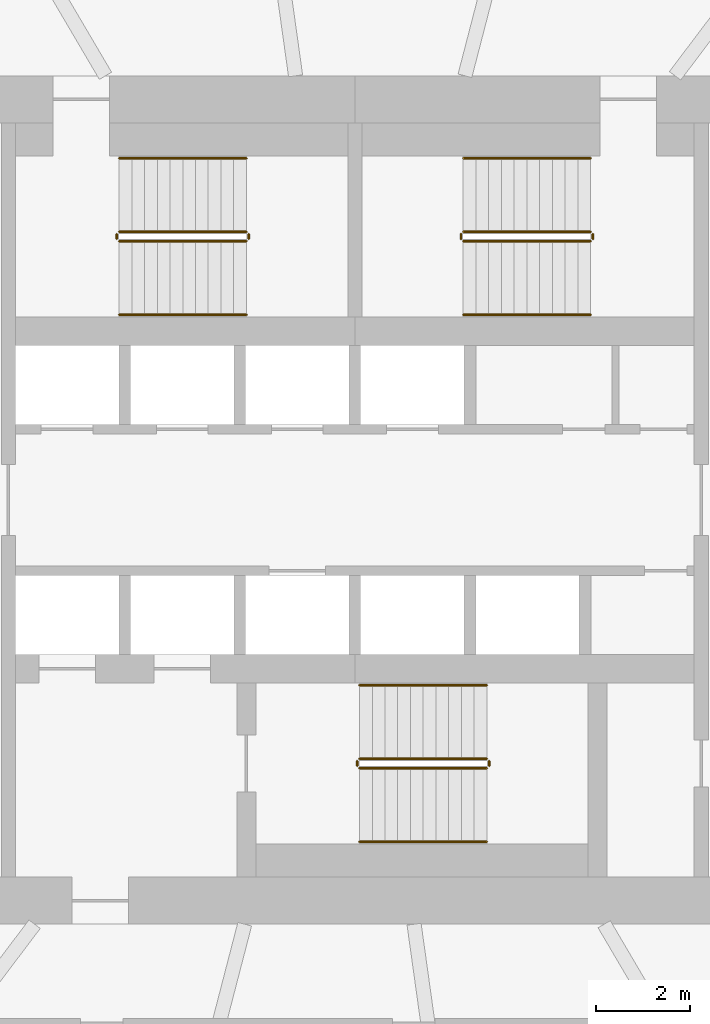
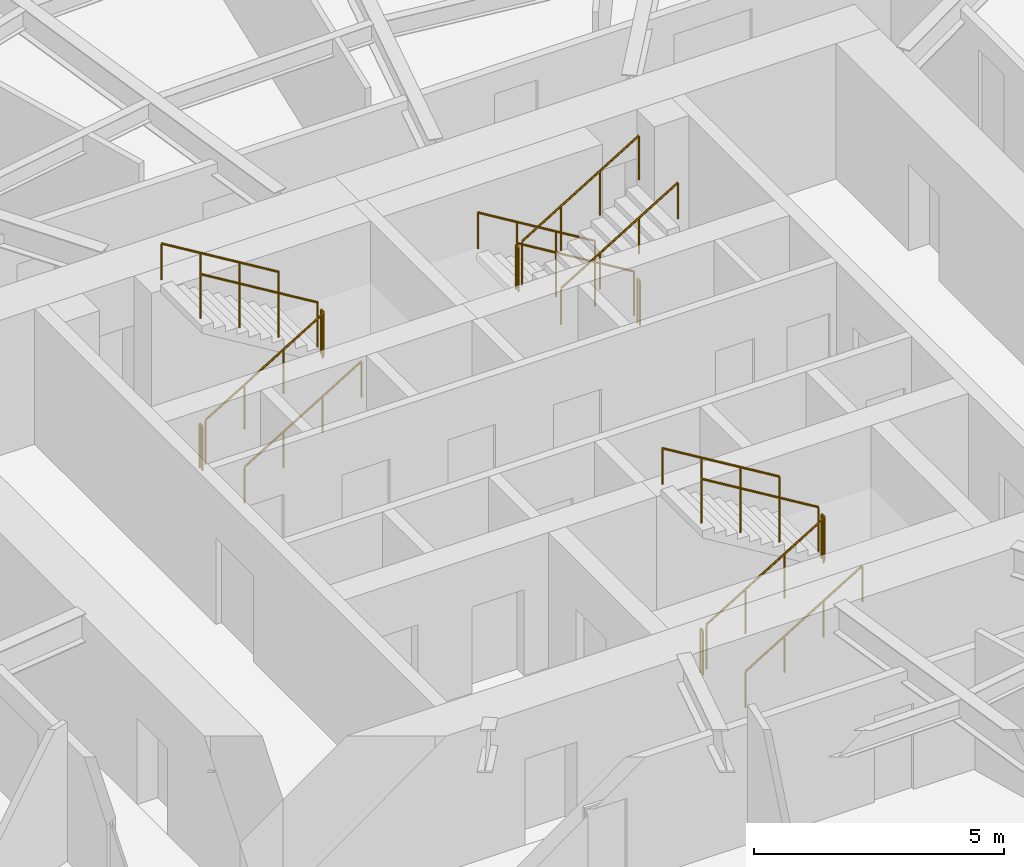
# One storey, part 13 of 14: 18 railings.
"""IFC4 building model written with IfcOpenShell, lengths in metres."""

from ifc_helpers import new_model, si_unit, direction, frame, origin, origin_2d, place, context, subcontext, project, spatial, circle, extrude, material, type_object, element, save


model = new_model("IFC4")

# Units and contexts
model_context = context("Model", 3, precision=1e-05, world=origin(), true_north=direction((0.0, 1.0)))
body_context = subcontext(model_context, "Body", "Model", "MODEL_VIEW")
ifc_project = project(units=[si_unit("LENGTHUNIT", "METRE"), si_unit("AREAUNIT", "SQUARE_METRE"), si_unit("VOLUMEUNIT", "CUBIC_METRE"), si_unit("PLANEANGLEUNIT", "RADIAN"), si_unit("MASSUNIT", "GRAM", prefix="KILO")], contexts=[model_context])

# Site, building, storey
site_placement = place(None, origin())
site = spatial("IfcSite", under=ifc_project, at=site_placement, CompositionType="ELEMENT")
building_placement = place(site_placement, origin())
building = spatial("IfcBuilding", under=site, at=building_placement, Name="Vermilion Reach Broadcast Tower", CompositionType="ELEMENT")
storey_placement = place(building_placement, frame((0.0, 0.0, 131.800048828125)))
storey = spatial("IfcBuildingStorey", under=building, at=storey_placement, Name="L31", CompositionType="ELEMENT", Elevation=131.800048828125)

# Railings
ifc_material_1 = material(Name="Stainless steel", Category="steel")
railing_type_1 = type_object("IfcRailingType", Name="Stair guard 1100", PredefinedType="GUARDRAIL", material=ifc_material_1)
railing_1_placement = place(storey_placement, frame((-11.0, 5.489990234375, 0.16357421875)))
element("IfcRailing", 1, at=railing_1_placement, inside=storey, type_object=railing_type_1, Name="L31 ST1 stair guard 1", PredefinedType="GUARDRAIL", context=body_context, shape_type="SweptSolid", body=[
    extrude(circle(Radius=0.02392578125, at=origin_2d()), frame((0.0, 0.0, 1.076171875), z_axis=(0.855178096276, 0.0, 0.518334277904), x_axis=(0.0, 1.0, 0.0)), (0.0, 0.0, 1.0), 3.1572265625),
    extrude(circle(Radius=0.02099609375, at=origin_2d()), origin(), (0.0, 0.0, 1.0), 1.052001953125),
    extrude(circle(Radius=0.02099609375, at=origin_2d()), frame((0.89990234375, 0.0, 0.54541015625)), (0.0, 0.0, 1.0), 1.052001953125),
    extrude(circle(Radius=0.02099609375, at=origin_2d()), frame((1.800048828125, 0.0, 1.091064453125)), (0.0, 0.0, 1.0), 1.052001953125),
    extrude(circle(Radius=0.02099609375, at=origin_2d()), frame((2.699951171875, 0.0, 1.636474609375)), (0.0, 0.0, 1.0), 1.052001953125),
])
railing_2_placement = place(storey_placement, frame((-8.25, 5.5400390625, 1.800048828125)))
element("IfcRailing", 2, at=railing_2_placement, inside=storey, type_object=railing_type_1, Name="L31 ST1 stair guard 2", PredefinedType="GUARDRAIL", context=body_context, shape_type="SweptSolid", body=[
    extrude(circle(Radius=0.02392578125, at=origin_2d()), frame((0.0, 0.0, 1.076171875), z_axis=(0.0, 1.0, 0.0), x_axis=(-1.0, 0.0, 0.0)), (0.0, 0.0, 1.0), 0.099853515625),
    extrude(circle(Radius=0.02099609375, at=origin_2d()), origin(), (0.0, 0.0, 1.0), 1.052001953125),
    extrude(circle(Radius=0.02099609375, at=origin_2d()), frame((0.0, 0.099853515625, 0.0)), (0.0, 0.0, 1.0), 1.052001953125),
])
railing_3_placement = place(storey_placement, frame((-8.300048828125, 5.68994140625, 1.963623046875)))
element("IfcRailing", 3, at=railing_3_placement, inside=storey, type_object=railing_type_1, Name="L31 ST1 stair guard 3", PredefinedType="GUARDRAIL", context=body_context, shape_type="SweptSolid", body=[
    extrude(circle(Radius=0.02392578125, at=origin_2d()), frame((0.0, 0.0, 1.076171875), z_axis=(-0.855212373127, 0.0, 0.518277721738), x_axis=(0.0, -1.0, 0.0)), (0.0, 0.0, 1.0), 3.156982421875),
    extrude(circle(Radius=0.02099609375, at=origin_2d()), origin(), (0.0, 0.0, 1.0), 1.052001953125),
    extrude(circle(Radius=0.02099609375, at=origin_2d()), frame((-0.89990234375, 0.0, 0.54541015625)), (0.0, 0.0, 1.0), 1.052001953125),
    extrude(circle(Radius=0.02099609375, at=origin_2d()), frame((-1.800048828125, 0.0, 1.0908203125)), (0.0, 0.0, 1.0), 1.052001953125),
    extrude(circle(Radius=0.02099609375, at=origin_2d()), frame((-2.699951171875, 0.0, 1.63623046875)), (0.0, 0.0, 1.0), 1.052001953125),
])
railing_4_placement = place(storey_placement, frame((-11.050048828125, 5.5400390625, 0.0)))
element("IfcRailing", 4, at=railing_4_placement, inside=storey, type_object=railing_type_1, Name="L31 ST1 stair guard 4", PredefinedType="GUARDRAIL", context=body_context, shape_type="SweptSolid", body=[
    extrude(circle(Radius=0.02392578125, at=origin_2d()), frame((0.0, 0.0, 1.076171875), z_axis=(0.0, 1.0, 0.0), x_axis=(-1.0, 0.0, 0.0)), (0.0, 0.0, 1.0), 0.099853515625),
    extrude(circle(Radius=0.02099609375, at=origin_2d()), origin(), (0.0, 0.0, 1.0), 1.052001953125),
    extrude(circle(Radius=0.02099609375, at=origin_2d()), frame((0.0, 0.099853515625, 0.0)), (0.0, 0.0, 1.0), 1.052001953125),
])
railing_5_placement = place(storey_placement, frame((-1.0, 5.68994140625, 0.16357421875)))
element("IfcRailing", 5, at=railing_5_placement, inside=storey, type_object=railing_type_1, Name="L31 ST2 stair guard 1", PredefinedType="GUARDRAIL", context=body_context, shape_type="SweptSolid", body=[
    extrude(circle(Radius=0.02392578125, at=origin_2d()), frame((0.0, 0.0, 1.076171875), z_axis=(-0.855178096276, 0.0, 0.518334277904), x_axis=(0.0, -1.0, 0.0)), (0.0, 0.0, 1.0), 3.1572265625),
    extrude(circle(Radius=0.02099609375, at=origin_2d()), origin(), (0.0, 0.0, 1.0), 1.052001953125),
    extrude(circle(Radius=0.02099609375, at=origin_2d()), frame((-0.89990234375, 0.0, 0.54541015625)), (0.0, 0.0, 1.0), 1.052001953125),
    extrude(circle(Radius=0.02099609375, at=origin_2d()), frame((-1.800048828125, 0.0, 1.091064453125)), (0.0, 0.0, 1.0), 1.052001953125),
    extrude(circle(Radius=0.02099609375, at=origin_2d()), frame((-2.699951171875, 0.0, 1.636474609375)), (0.0, 0.0, 1.0), 1.052001953125),
])
railing_6_placement = place(storey_placement, frame((-3.75, 5.639892578125, 1.800048828125)))
element("IfcRailing", 6, at=railing_6_placement, inside=storey, type_object=railing_type_1, Name="L31 ST2 stair guard 2", PredefinedType="GUARDRAIL", context=body_context, shape_type="SweptSolid", body=[
    extrude(circle(Radius=0.02392578125, at=origin_2d()), frame((0.0, 0.0, 1.076171875), z_axis=(0.0, -1.0, 0.0), x_axis=(1.0, 0.0, 0.0)), (0.0, 0.0, 1.0), 0.099853515625),
    extrude(circle(Radius=0.02099609375, at=origin_2d()), origin(), (0.0, 0.0, 1.0), 1.052001953125),
    extrude(circle(Radius=0.02099609375, at=origin_2d()), frame((0.0, -0.099853515625, 0.0)), (0.0, 0.0, 1.0), 1.052001953125),
])
railing_7_placement = place(storey_placement, frame((-3.699951171875, 5.489990234375, 1.963623046875)))
element("IfcRailing", 7, at=railing_7_placement, inside=storey, type_object=railing_type_1, Name="L31 ST2 stair guard 3", PredefinedType="GUARDRAIL", context=body_context, shape_type="SweptSolid", body=[
    extrude(circle(Radius=0.02392578125, at=origin_2d()), frame((0.0, 0.0, 1.076171875), z_axis=(0.855212373127, 0.0, 0.518277721738), x_axis=(0.0, 1.0, 0.0)), (0.0, 0.0, 1.0), 3.156982421875),
    extrude(circle(Radius=0.02099609375, at=origin_2d()), origin(), (0.0, 0.0, 1.0), 1.052001953125),
    extrude(circle(Radius=0.02099609375, at=origin_2d()), frame((0.89990234375, 0.0, 0.54541015625)), (0.0, 0.0, 1.0), 1.052001953125),
    extrude(circle(Radius=0.02099609375, at=origin_2d()), frame((1.800048828125, 0.0, 1.0908203125)), (0.0, 0.0, 1.0), 1.052001953125),
    extrude(circle(Radius=0.02099609375, at=origin_2d()), frame((2.699951171875, 0.0, 1.63623046875)), (0.0, 0.0, 1.0), 1.052001953125),
])
railing_8_placement = place(storey_placement, frame((-0.949951171875, 5.639892578125, 0.0)))
element("IfcRailing", 8, at=railing_8_placement, inside=storey, type_object=railing_type_1, Name="L31 ST2 stair guard 4", PredefinedType="GUARDRAIL", context=body_context, shape_type="SweptSolid", body=[
    extrude(circle(Radius=0.02392578125, at=origin_2d()), frame((0.0, 0.0, 1.076171875), z_axis=(0.0, -1.0, 0.0), x_axis=(1.0, 0.0, 0.0)), (0.0, 0.0, 1.0), 0.099853515625),
    extrude(circle(Radius=0.02099609375, at=origin_2d()), origin(), (0.0, 0.0, 1.0), 1.052001953125),
    extrude(circle(Radius=0.02099609375, at=origin_2d()), frame((0.0, -0.099853515625, 0.0)), (0.0, 0.0, 1.0), 1.052001953125),
])
railing_9_placement = place(storey_placement, frame((-5.89990234375, -5.68994140625, 0.16357421875)))
element("IfcRailing", 9, at=railing_9_placement, inside=storey, type_object=railing_type_1, Name="L31 ST3 stair guard 1", PredefinedType="GUARDRAIL", context=body_context, shape_type="SweptSolid", body=[
    extrude(circle(Radius=0.02392578125, at=origin_2d()), frame((0.0, 0.0, 1.076171875), z_axis=(0.855178096276, 0.0, 0.518334277904), x_axis=(0.0, 1.0, 0.0)), (0.0, 0.0, 1.0), 3.1572265625),
    extrude(circle(Radius=0.02099609375, at=origin_2d()), origin(), (0.0, 0.0, 1.0), 1.052001953125),
    extrude(circle(Radius=0.02099609375, at=origin_2d()), frame((0.89990234375, 0.0, 0.54541015625)), (0.0, 0.0, 1.0), 1.052001953125),
    extrude(circle(Radius=0.02099609375, at=origin_2d()), frame((1.800048828125, 0.0, 1.091064453125)), (0.0, 0.0, 1.0), 1.052001953125),
    extrude(circle(Radius=0.02099609375, at=origin_2d()), frame((2.699951171875, 0.0, 1.636474609375)), (0.0, 0.0, 1.0), 1.052001953125),
])
railing_10_placement = place(storey_placement, frame((-3.14990234375, -5.639892578125, 1.800048828125)))
element("IfcRailing", 10, at=railing_10_placement, inside=storey, type_object=railing_type_1, Name="L31 ST3 stair guard 2", PredefinedType="GUARDRAIL", context=body_context, shape_type="SweptSolid", body=[
    extrude(circle(Radius=0.02392578125, at=origin_2d()), frame((0.0, 0.0, 1.076171875), z_axis=(0.0, 1.0, 0.0), x_axis=(-1.0, 0.0, 0.0)), (0.0, 0.0, 1.0), 0.099853515625),
    extrude(circle(Radius=0.02099609375, at=origin_2d()), origin(), (0.0, 0.0, 1.0), 1.052001953125),
    extrude(circle(Radius=0.02099609375, at=origin_2d()), frame((0.0, 0.099853515625, 0.0)), (0.0, 0.0, 1.0), 1.052001953125),
])
railing_11_placement = place(storey_placement, frame((-3.199951171875, -5.489990234375, 1.963623046875)))
element("IfcRailing", 11, at=railing_11_placement, inside=storey, type_object=railing_type_1, Name="L31 ST3 stair guard 3", PredefinedType="GUARDRAIL", context=body_context, shape_type="SweptSolid", body=[
    extrude(circle(Radius=0.02392578125, at=origin_2d()), frame((0.0, 0.0, 1.076171875), z_axis=(-0.855212373127, 0.0, 0.518277721738), x_axis=(0.0, -1.0, 0.0)), (0.0, 0.0, 1.0), 3.156982421875),
    extrude(circle(Radius=0.02099609375, at=origin_2d()), origin(), (0.0, 0.0, 1.0), 1.052001953125),
    extrude(circle(Radius=0.02099609375, at=origin_2d()), frame((-0.89990234375, 0.0, 0.54541015625)), (0.0, 0.0, 1.0), 1.052001953125),
    extrude(circle(Radius=0.02099609375, at=origin_2d()), frame((-1.800048828125, 0.0, 1.0908203125)), (0.0, 0.0, 1.0), 1.052001953125),
    extrude(circle(Radius=0.02099609375, at=origin_2d()), frame((-2.699951171875, 0.0, 1.63623046875)), (0.0, 0.0, 1.0), 1.052001953125),
])
railing_12_placement = place(storey_placement, frame((-5.949951171875, -5.639892578125, 0.0)))
element("IfcRailing", 12, at=railing_12_placement, inside=storey, type_object=railing_type_1, Name="L31 ST3 stair guard 4", PredefinedType="GUARDRAIL", context=body_context, shape_type="SweptSolid", body=[
    extrude(circle(Radius=0.02392578125, at=origin_2d()), frame((0.0, 0.0, 1.076171875), z_axis=(0.0, 1.0, 0.0), x_axis=(-1.0, 0.0, 0.0)), (0.0, 0.0, 1.0), 0.099853515625),
    extrude(circle(Radius=0.02099609375, at=origin_2d()), origin(), (0.0, 0.0, 1.0), 1.052001953125),
    extrude(circle(Radius=0.02099609375, at=origin_2d()), frame((0.0, 0.099853515625, 0.0)), (0.0, 0.0, 1.0), 1.052001953125),
])
ifc_material_2 = material(Name="Stainless steel", Category="steel")
railing_type_2 = type_object("IfcRailingType", Name="Stair handrail", PredefinedType="HANDRAIL", material=ifc_material_2)
railing_13_placement = place(storey_placement, frame((-11.0, 3.929931640625, 0.16357421875)))
element("IfcRailing", 13, at=railing_13_placement, inside=storey, type_object=railing_type_2, Name="L31 ST1 stair handrail 1", PredefinedType="HANDRAIL", context=body_context, shape_type="SweptSolid", body=[
    extrude(circle(Radius=0.02392578125, at=origin_2d()), frame((0.0, 0.0, 0.8759765625), z_axis=(0.855178096276, 0.0, 0.518334277904), x_axis=(0.0, 1.0, 0.0)), (0.0, 0.0, 1.0), 3.1572265625),
    extrude(circle(Radius=0.02099609375, at=origin_2d()), origin(), (0.0, 0.0, 1.0), 0.851806640625),
    extrude(circle(Radius=0.02099609375, at=origin_2d()), frame((0.89990234375, 0.0, 0.54541015625)), (0.0, 0.0, 1.0), 0.851806640625),
    extrude(circle(Radius=0.02099609375, at=origin_2d()), frame((1.800048828125, 0.0, 1.091064453125)), (0.0, 0.0, 1.0), 0.851806640625),
    extrude(circle(Radius=0.02099609375, at=origin_2d()), frame((2.699951171875, 0.0, 1.636474609375)), (0.0, 0.0, 1.0), 0.851806640625),
])
railing_14_placement = place(storey_placement, frame((-8.300048828125, 7.25, 1.963623046875)))
element("IfcRailing", 14, at=railing_14_placement, inside=storey, type_object=railing_type_2, Name="L31 ST1 stair handrail 2", PredefinedType="HANDRAIL", context=body_context, shape_type="SweptSolid", body=[
    extrude(circle(Radius=0.02392578125, at=origin_2d()), frame((0.0, 0.0, 0.8759765625), z_axis=(-0.855212373127, 0.0, 0.518277721738), x_axis=(0.0, -1.0, 0.0)), (0.0, 0.0, 1.0), 3.156982421875),
    extrude(circle(Radius=0.02099609375, at=origin_2d()), origin(), (0.0, 0.0, 1.0), 0.851806640625),
    extrude(circle(Radius=0.02099609375, at=origin_2d()), frame((-0.89990234375, 0.0, 0.54541015625)), (0.0, 0.0, 1.0), 0.851806640625),
    extrude(circle(Radius=0.02099609375, at=origin_2d()), frame((-1.800048828125, 0.0, 1.0908203125)), (0.0, 0.0, 1.0), 0.851806640625),
    extrude(circle(Radius=0.02099609375, at=origin_2d()), frame((-2.699951171875, 0.0, 1.63623046875)), (0.0, 0.0, 1.0), 0.851806640625),
])
railing_15_placement = place(storey_placement, frame((-1.0, 7.25, 0.16357421875)))
element("IfcRailing", 15, at=railing_15_placement, inside=storey, type_object=railing_type_2, Name="L31 ST2 stair handrail 1", PredefinedType="HANDRAIL", context=body_context, shape_type="SweptSolid", body=[
    extrude(circle(Radius=0.02392578125, at=origin_2d()), frame((0.0, 0.0, 0.8759765625), z_axis=(-0.855178096276, 0.0, 0.518334277904), x_axis=(0.0, -1.0, 0.0)), (0.0, 0.0, 1.0), 3.1572265625),
    extrude(circle(Radius=0.02099609375, at=origin_2d()), origin(), (0.0, 0.0, 1.0), 0.851806640625),
    extrude(circle(Radius=0.02099609375, at=origin_2d()), frame((-0.89990234375, 0.0, 0.54541015625)), (0.0, 0.0, 1.0), 0.851806640625),
    extrude(circle(Radius=0.02099609375, at=origin_2d()), frame((-1.800048828125, 0.0, 1.091064453125)), (0.0, 0.0, 1.0), 0.851806640625),
    extrude(circle(Radius=0.02099609375, at=origin_2d()), frame((-2.699951171875, 0.0, 1.636474609375)), (0.0, 0.0, 1.0), 0.851806640625),
])
railing_16_placement = place(storey_placement, frame((-3.699951171875, 3.929931640625, 1.963623046875)))
element("IfcRailing", 16, at=railing_16_placement, inside=storey, type_object=railing_type_2, Name="L31 ST2 stair handrail 2", PredefinedType="HANDRAIL", context=body_context, shape_type="SweptSolid", body=[
    extrude(circle(Radius=0.02392578125, at=origin_2d()), frame((0.0, 0.0, 0.8759765625), z_axis=(0.855212373127, 0.0, 0.518277721738), x_axis=(0.0, 1.0, 0.0)), (0.0, 0.0, 1.0), 3.156982421875),
    extrude(circle(Radius=0.02099609375, at=origin_2d()), origin(), (0.0, 0.0, 1.0), 0.851806640625),
    extrude(circle(Radius=0.02099609375, at=origin_2d()), frame((0.89990234375, 0.0, 0.54541015625)), (0.0, 0.0, 1.0), 0.851806640625),
    extrude(circle(Radius=0.02099609375, at=origin_2d()), frame((1.800048828125, 0.0, 1.0908203125)), (0.0, 0.0, 1.0), 0.851806640625),
    extrude(circle(Radius=0.02099609375, at=origin_2d()), frame((2.699951171875, 0.0, 1.63623046875)), (0.0, 0.0, 1.0), 0.851806640625),
])
railing_17_placement = place(storey_placement, frame((-5.89990234375, -7.25, 0.16357421875)))
element("IfcRailing", 17, at=railing_17_placement, inside=storey, type_object=railing_type_2, Name="L31 ST3 stair handrail 1", PredefinedType="HANDRAIL", context=body_context, shape_type="SweptSolid", body=[
    extrude(circle(Radius=0.02392578125, at=origin_2d()), frame((0.0, 0.0, 0.8759765625), z_axis=(0.855178096276, 0.0, 0.518334277904), x_axis=(0.0, 1.0, 0.0)), (0.0, 0.0, 1.0), 3.1572265625),
    extrude(circle(Radius=0.02099609375, at=origin_2d()), origin(), (0.0, 0.0, 1.0), 0.851806640625),
    extrude(circle(Radius=0.02099609375, at=origin_2d()), frame((0.89990234375, 0.0, 0.54541015625)), (0.0, 0.0, 1.0), 0.851806640625),
    extrude(circle(Radius=0.02099609375, at=origin_2d()), frame((1.800048828125, 0.0, 1.091064453125)), (0.0, 0.0, 1.0), 0.851806640625),
    extrude(circle(Radius=0.02099609375, at=origin_2d()), frame((2.699951171875, 0.0, 1.636474609375)), (0.0, 0.0, 1.0), 0.851806640625),
])
railing_18_placement = place(storey_placement, frame((-3.199951171875, -3.929931640625, 1.963623046875)))
element("IfcRailing", 18, at=railing_18_placement, inside=storey, type_object=railing_type_2, Name="L31 ST3 stair handrail 2", PredefinedType="HANDRAIL", context=body_context, shape_type="SweptSolid", body=[
    extrude(circle(Radius=0.02392578125, at=origin_2d()), frame((0.0, 0.0, 0.8759765625), z_axis=(-0.855212373127, 0.0, 0.518277721738), x_axis=(0.0, -1.0, 0.0)), (0.0, 0.0, 1.0), 3.156982421875),
    extrude(circle(Radius=0.02099609375, at=origin_2d()), origin(), (0.0, 0.0, 1.0), 0.851806640625),
    extrude(circle(Radius=0.02099609375, at=origin_2d()), frame((-0.89990234375, 0.0, 0.54541015625)), (0.0, 0.0, 1.0), 0.851806640625),
    extrude(circle(Radius=0.02099609375, at=origin_2d()), frame((-1.800048828125, 0.0, 1.0908203125)), (0.0, 0.0, 1.0), 0.851806640625),
    extrude(circle(Radius=0.02099609375, at=origin_2d()), frame((-2.699951171875, 0.0, 1.63623046875)), (0.0, 0.0, 1.0), 0.851806640625),
])

save(model, "model.ifc")
